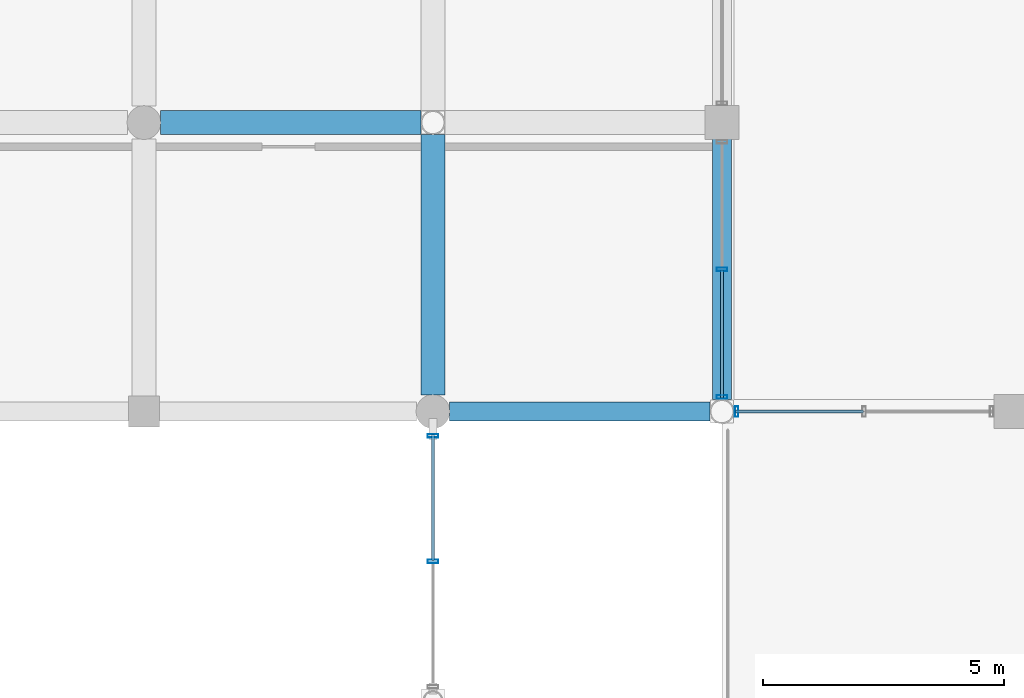
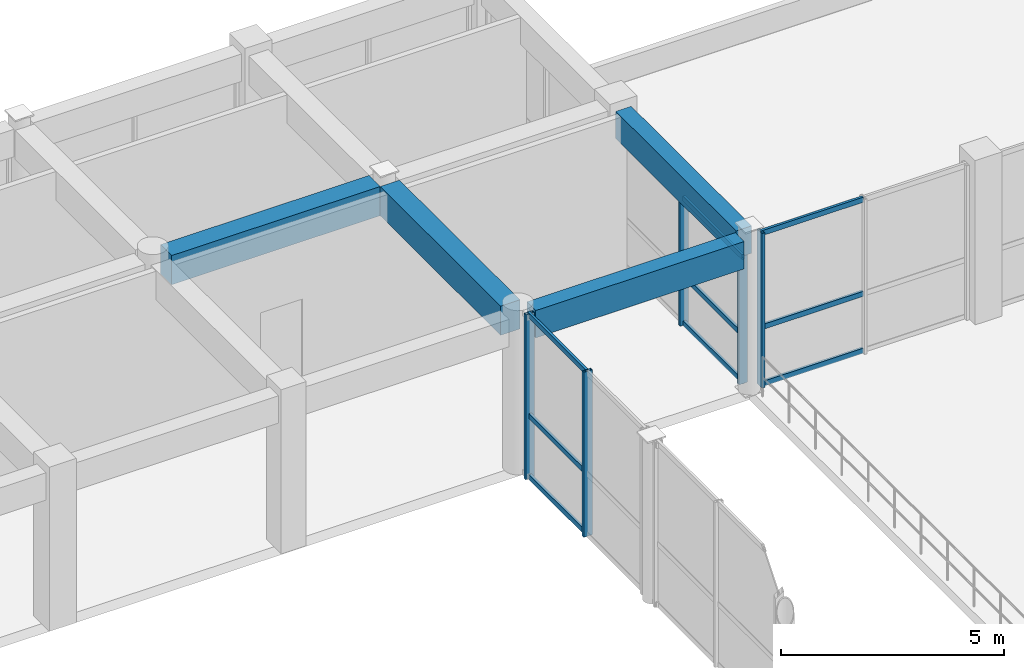
# One storey, part 30 of 116: 14 members, 4 beams, 3 elements without a shape of their own.
"""IFC4 building model written with IfcOpenShell, lengths in metres."""

from ifc_helpers import new_model, si_unit, direction, frame, origin, origin_2d, place, context, subcontext, project, spatial, rectangle, hollow_rectangle, extrude, material, material_profile, profile_set, type_object, element, aggregate, save


model = new_model("IFC4")

# Units and contexts
model_context = context("Model", 3, precision=1e-05, world=origin(), true_north=direction((0.0, 1.0)))
body_context = subcontext(model_context, "Body", "Model", "MODEL_VIEW")
ifc_project = project(units=[si_unit("LENGTHUNIT", "METRE"), si_unit("AREAUNIT", "SQUARE_METRE"), si_unit("VOLUMEUNIT", "CUBIC_METRE"), si_unit("PLANEANGLEUNIT", "RADIAN"), si_unit("MASSUNIT", "GRAM", prefix="KILO"), si_unit("THERMODYNAMICTEMPERATUREUNIT", "KELVIN"), si_unit("POWERUNIT", "WATT")], contexts=[model_context])

# Site, building, storey
site_placement = place(None, origin())
site = spatial("IfcSite", under=ifc_project, at=site_placement, CompositionType="ELEMENT")
building_placement = place(site_placement, origin())
building = spatial("IfcBuilding", under=site, at=building_placement, Name="Phaisarnlok Congress Hotel", CompositionType="ELEMENT")
storey_placement = place(building_placement, frame((0.0, 0.0, 10.5)))
storey = spatial("IfcBuildingStorey", under=building, at=storey_placement, Name="L02", CompositionType="ELEMENT", Elevation=10.5)

# Beams
ifc_material_1 = material(Name="Concrete C40/50", Category="concrete")
ifc_material_profile_1 = material_profile(ifc_material_1, rectangle(XDim=0.5, YDim=0.800048828125, at=origin_2d()), Name="RC 500x800")
ifc_profile_set_1 = profile_set([ifc_material_profile_1], Name="Concrete C40/50")
beam_type_1 = type_object("IfcBeamType", Name="BM-RC-500x800", PredefinedType="BEAM", material=ifc_profile_set_1)
for number, where, z_axis, x_axis, name in (
    (1, (114.344970703125, 90.0, 3.860107421875), (1.0, 0.0, 0.0), (0.0, 1.0, 0.0), "Beam B-04"),
    (2, (120.0, 84.344970703125, 3.860107421875), (0.0, 1.0, 0.0), (-1.0, 0.0, 0.0), "Beam B-04"),
):
    element("IfcBeam", number, at=place(storey_placement, frame(where, z_axis=z_axis, x_axis=x_axis)), inside=storey, type_object=beam_type_1, Name=name, PredefinedType="BEAM", context=body_context, shape_type="SweptSolid", body=[
        extrude(rectangle(XDim=0.5, YDim=0.800048828125, at=origin_2d()), origin(), (0.0, 0.0, 1.0), 5.406005859375),
    ])

# Curtain wall, member
ifc_material_2 = material(Name="Thermally Broken Unitised Aluminium & Low-E Glazing", Category="aluminium")
curtain_wall_type_1 = type_object("IfcCurtainWallType", Name="CW-UNIT-26", PredefinedType="NOTDEFINED", material=ifc_material_2)
curtain_wall_1_placement = place(storey_placement, origin())
curtain_wall_1 = element("IfcCurtainWall", 3, at=curtain_wall_1_placement, inside=storey, type_object=curtain_wall_type_1, Name="Unitised curtain wall CW-26 (L02)", PredefinedType="NOTDEFINED")
ifc_material_3 = material(Name="Anodised Aluminium Alloy 6063-T6", Category="aluminium")
ifc_material_profile_2 = material_profile(ifc_material_3, hollow_rectangle(XDim=0.074951171875, YDim=0.219970703125, WallThickness=0.0048828125, at=origin_2d()), Name="ALU-M 75x220x5")
ifc_profile_set_2 = profile_set([ifc_material_profile_2], Name="Anodised Aluminium Alloy 6063-T6")
member_type_1 = type_object("IfcMemberType", Name="CWM-220", PredefinedType="MULLION", material=ifc_profile_set_2)
member_1_placement = place(storey_placement, frame((126.303955078125, 84.0, 0.0), z_axis=(0.0, 0.0, 1.0), x_axis=(-1.0, 0.0, 0.0)))
member_1 = element("IfcMember", 4, at=member_1_placement, type_object=member_type_1, Name="Curtain wall mullion CWM-02", PredefinedType="MULLION", context=body_context, shape_type="SweptSolid", body=[
    extrude(hollow_rectangle(XDim=0.074951171875, YDim=0.219970703125, WallThickness=0.0048828125, at=origin_2d()), origin(), (0.0, 0.0, 1.0), 4.239990234375),
])

# Curtain wall, members
curtain_wall_type_2 = type_object("IfcCurtainWallType", Name="CW-UNIT-17", PredefinedType="NOTDEFINED", material=ifc_material_2)
curtain_wall_2_placement = place(storey_placement, origin())
curtain_wall_2 = element("IfcCurtainWall", 5, at=curtain_wall_2_placement, inside=storey, type_object=curtain_wall_type_2, Name="Unitised curtain wall CW-17 (L02)", PredefinedType="NOTDEFINED")
member_2_placement = place(storey_placement, frame((126.0, 84.303955078125, 0.0), z_axis=(0.0, 0.0, 1.0), x_axis=(0.0, 1.0, 0.0)))
member_2 = element("IfcMember", 6, at=member_2_placement, type_object=member_type_1, Name="Curtain wall mullion CWM-02", PredefinedType="MULLION", context=body_context, shape_type="SweptSolid", body=[
    extrude(hollow_rectangle(XDim=0.074951171875, YDim=0.219970703125, WallThickness=0.0048828125, at=origin_2d()), origin(), (0.0, 0.0, 1.0), 3.510009765625),
])
member_3_placement = place(storey_placement, frame((126.0, 86.951904296875, 0.0), z_axis=(0.0, 0.0, 1.0), x_axis=(0.0, 1.0, 0.0)))
member_3 = element("IfcMember", 7, at=member_3_placement, type_object=member_type_1, Name="Curtain wall mullion CWM-02", PredefinedType="MULLION", context=body_context, shape_type="SweptSolid", body=[
    extrude(hollow_rectangle(XDim=0.074951171875, YDim=0.219970703125, WallThickness=0.0048828125, at=origin_2d()), origin(), (0.0, 0.0, 1.0), 3.510009765625),
])

curtain_wall_type_3 = type_object("IfcCurtainWallType", Name="CW-UNIT-41", PredefinedType="NOTDEFINED", material=ifc_material_2)
curtain_wall_3_placement = place(storey_placement, origin())
curtain_wall_3 = element("IfcCurtainWall", 8, at=curtain_wall_3_placement, inside=storey, type_object=curtain_wall_type_3, Name="Unitised curtain wall CW-41 (L02)", PredefinedType="NOTDEFINED")
member_4_placement = place(storey_placement, frame((120.0, 83.4951171875, -0.010009765625), z_axis=(0.0, 0.0, 1.0), x_axis=(0.0, -1.0, 0.0)))
member_4 = element("IfcMember", 9, at=member_4_placement, type_object=member_type_1, Name="Curtain wall mullion CWM-02", PredefinedType="MULLION", context=body_context, shape_type="SweptSolid", body=[
    extrude(hollow_rectangle(XDim=0.074951171875, YDim=0.219970703125, WallThickness=0.0048828125, at=origin_2d()), origin(), (0.0, 0.0, 1.0), 4.52001953125),
])
member_5_placement = place(storey_placement, frame((120.0, 80.889892578125, -0.010009765625), z_axis=(0.0, 0.0, 1.0), x_axis=(0.0, -1.0, 0.0)))
member_5 = element("IfcMember", 10, at=member_5_placement, type_object=member_type_1, Name="Curtain wall mullion CWM-02", PredefinedType="MULLION", context=body_context, shape_type="SweptSolid", body=[
    extrude(hollow_rectangle(XDim=0.074951171875, YDim=0.219970703125, WallThickness=0.0048828125, at=origin_2d()), origin(), (0.0, 0.0, 1.0), 4.52001953125),
])

# Member
ifc_material_profile_3 = material_profile(ifc_material_3, hollow_rectangle(XDim=0.06494140625, YDim=0.139892578125, WallThickness=0.00390625, at=origin_2d()), Name="ALU-T 65x140x4")
ifc_profile_set_3 = profile_set([ifc_material_profile_3], Name="Anodised Aluminium Alloy 6063-T6")
member_type_2 = type_object("IfcMemberType", Name="CWT-150", PredefinedType="USERDEFINED", material=ifc_profile_set_3)
member_6_placement = place(storey_placement, frame((128.93701171875, 84.0, 0.050048828125), z_axis=(-1.0, 0.0, 0.0), x_axis=(0.0, -1.0, 0.0)))
member_6 = element("IfcMember", 11, at=member_6_placement, type_object=member_type_2, Name="Curtain wall transom CWT-01", ObjectType="TRANSOM", PredefinedType="USERDEFINED", context=body_context, shape_type="SweptSolid", body=[
    extrude(hollow_rectangle(XDim=0.06494140625, YDim=0.139892578125, WallThickness=0.00390625, at=origin_2d()), origin(), (0.0, 0.0, 1.0), 2.657958984375),
])

member_7_placement = place(storey_placement, frame((128.93701171875, 84.0, 1.611083984375), z_axis=(-1.0, 0.0, 0.0), x_axis=(0.0, -1.0, 0.0)))
member_7 = element("IfcMember", 12, at=member_7_placement, type_object=member_type_2, Name="Curtain wall transom CWT-01", ObjectType="TRANSOM", PredefinedType="USERDEFINED", context=body_context, shape_type="SweptSolid", body=[
    extrude(hollow_rectangle(XDim=0.06494140625, YDim=0.139892578125, WallThickness=0.00390625, at=origin_2d()), origin(), (0.0, 0.0, 1.0), 2.657958984375),
])

member_8_placement = place(storey_placement, frame((128.93701171875, 84.0, 4.18994140625), z_axis=(-1.0, 0.0, 0.0), x_axis=(0.0, -1.0, 0.0)))
member_8 = element("IfcMember", 13, at=member_8_placement, type_object=member_type_2, Name="Curtain wall transom CWT-01", ObjectType="TRANSOM", PredefinedType="USERDEFINED", context=body_context, shape_type="SweptSolid", body=[
    extrude(hollow_rectangle(XDim=0.06494140625, YDim=0.139892578125, WallThickness=0.00390625, at=origin_2d()), origin(), (0.0, 0.0, 1.0), 2.657958984375),
])

aggregate(curtain_wall_1, [member_1, member_6, member_7, member_8])

member_9_placement = place(storey_placement, frame((126.0, 84.279052734375, 0.050048828125), z_axis=(0.0, 1.0, 0.0), x_axis=(-1.0, 0.0, 0.0)))
member_9 = element("IfcMember", 14, at=member_9_placement, type_object=member_type_2, Name="Curtain wall transom CWT-01", ObjectType="TRANSOM", PredefinedType="USERDEFINED", context=body_context, shape_type="SweptSolid", body=[
    extrude(hollow_rectangle(XDim=0.06494140625, YDim=0.139892578125, WallThickness=0.00390625, at=origin_2d()), origin(), (0.0, 0.0, 1.0), 2.657958984375),
])

member_10_placement = place(storey_placement, frame((126.0, 84.279052734375, 1.333740234375), z_axis=(0.0, 1.0, 0.0), x_axis=(-1.0, 0.0, 0.0)))
member_10 = element("IfcMember", 15, at=member_10_placement, type_object=member_type_2, Name="Curtain wall transom CWT-01", ObjectType="TRANSOM", PredefinedType="USERDEFINED", context=body_context, shape_type="SweptSolid", body=[
    extrude(hollow_rectangle(XDim=0.06494140625, YDim=0.139892578125, WallThickness=0.00390625, at=origin_2d()), origin(), (0.0, 0.0, 1.0), 2.657958984375),
])

member_11_placement = place(storey_placement, frame((126.0, 84.279052734375, 3.4599609375), z_axis=(0.0, 1.0, 0.0), x_axis=(-1.0, 0.0, 0.0)))
member_11 = element("IfcMember", 16, at=member_11_placement, type_object=member_type_2, Name="Curtain wall transom CWT-01", ObjectType="TRANSOM", PredefinedType="USERDEFINED", context=body_context, shape_type="SweptSolid", body=[
    extrude(hollow_rectangle(XDim=0.06494140625, YDim=0.139892578125, WallThickness=0.00390625, at=origin_2d()), origin(), (0.0, 0.0, 1.0), 2.657958984375),
])

aggregate(curtain_wall_2, [member_2, member_3, member_9, member_10, member_11])

member_12_placement = place(storey_placement, frame((120.0, 83.52001953125, 0.0400390625), z_axis=(0.0, -1.0, 0.0), x_axis=(1.0, 0.0, 0.0)))
member_12 = element("IfcMember", 17, at=member_12_placement, type_object=member_type_2, Name="Curtain wall transom CWT-01", ObjectType="TRANSOM", PredefinedType="USERDEFINED", context=body_context, shape_type="SweptSolid", body=[
    extrude(hollow_rectangle(XDim=0.06494140625, YDim=0.139892578125, WallThickness=0.00390625, at=origin_2d()), origin(), (0.0, 0.0, 1.0), 2.614990234375),
])

member_13_placement = place(storey_placement, frame((120.0, 83.52001953125, 1.70751953125), z_axis=(0.0, -1.0, 0.0), x_axis=(1.0, 0.0, 0.0)))
member_13 = element("IfcMember", 18, at=member_13_placement, type_object=member_type_2, Name="Curtain wall transom CWT-01", ObjectType="TRANSOM", PredefinedType="USERDEFINED", context=body_context, shape_type="SweptSolid", body=[
    extrude(hollow_rectangle(XDim=0.06494140625, YDim=0.139892578125, WallThickness=0.00390625, at=origin_2d()), origin(), (0.0, 0.0, 1.0), 2.614990234375),
])

member_14_placement = place(storey_placement, frame((120.0, 83.52001953125, 4.4599609375), z_axis=(0.0, -1.0, 0.0), x_axis=(1.0, 0.0, 0.0)))
member_14 = element("IfcMember", 19, at=member_14_placement, type_object=member_type_2, Name="Curtain wall transom CWT-01", ObjectType="TRANSOM", PredefinedType="USERDEFINED", context=body_context, shape_type="SweptSolid", body=[
    extrude(hollow_rectangle(XDim=0.06494140625, YDim=0.139892578125, WallThickness=0.00390625, at=origin_2d()), origin(), (0.0, 0.0, 1.0), 2.614990234375),
])

aggregate(curtain_wall_3, [member_4, member_5, member_12, member_13, member_14])

# Beams
ifc_material_profile_4 = material_profile(ifc_material_1, rectangle(XDim=0.39990234375, YDim=0.75, at=origin_2d()), Name="RC 400x750")
ifc_profile_set_4 = profile_set([ifc_material_profile_4], Name="Concrete C40/50")
beam_type_2 = type_object("IfcBeamType", Name="SP-RC-400x750", PredefinedType="SPANDREL", material=ifc_profile_set_4)
for number, where, z_axis, x_axis, name in (
    (20, (120.344970703125, 84.0, 3.885009765625), (1.0, 0.0, 0.0), (0.0, 1.0, 0.0), "Beam SP-02"),
    (21, (126.0, 84.2490234375, 3.885009765625), (0.0, 1.0, 0.0), (-1.0, 0.0, 0.0), "Beam SP-02"),
):
    element("IfcBeam", number, at=place(storey_placement, frame(where, z_axis=z_axis, x_axis=x_axis)), inside=storey, type_object=beam_type_2, Name=name, PredefinedType="SPANDREL", context=body_context, shape_type="SweptSolid", body=[
        extrude(rectangle(XDim=0.39990234375, YDim=0.75, at=origin_2d()), origin(), (0.0, 0.0, 1.0), 5.406005859375),
    ])

save(model, "model.ifc")
